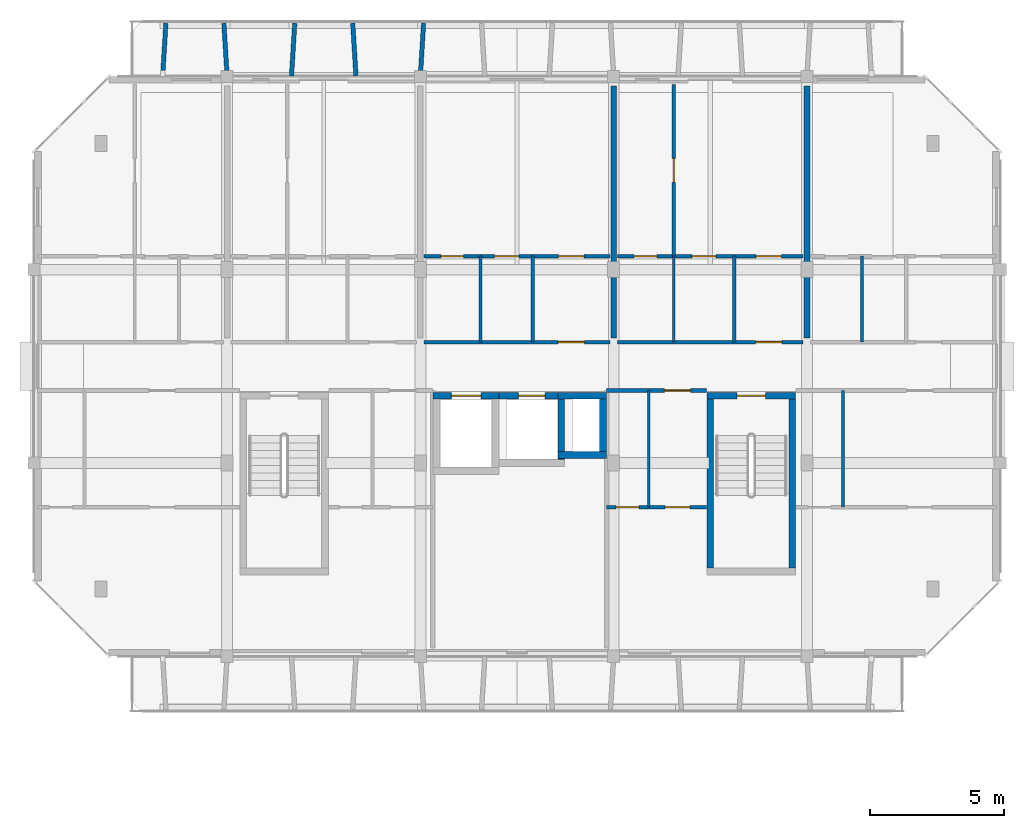
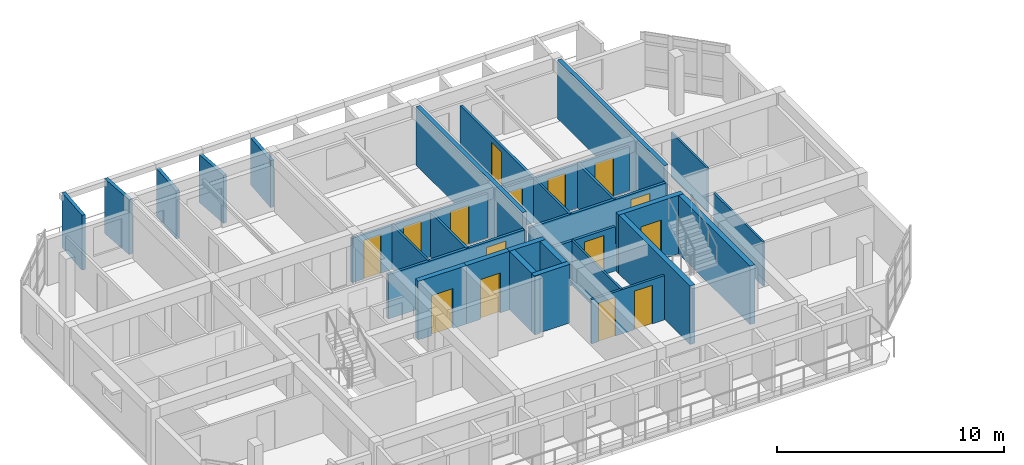
# One storey, part 13 of 22: 30 walls, 15 doors, 15 openings.
"""IFC4 building model written with IfcOpenShell, lengths in metres."""

from ifc_helpers import new_model, si_unit, direction, frame, frame_2d, origin, place, context, subcontext, project, spatial, rectangle, extrude, material, layer, layer_set, type_object, element, fill, save


model = new_model("IFC4")

# Units and contexts
model_context = context("Model", 3, precision=1e-05, world=origin(), true_north=direction((0.0, 1.0)))
body_context = subcontext(model_context, "Body", "Model", "MODEL_VIEW")
ifc_project = project(units=[si_unit("LENGTHUNIT", "METRE"), si_unit("AREAUNIT", "SQUARE_METRE"), si_unit("VOLUMEUNIT", "CUBIC_METRE"), si_unit("PLANEANGLEUNIT", "RADIAN"), si_unit("MASSUNIT", "GRAM", prefix="KILO")], contexts=[model_context])

# Site, building, storey
site_placement = place(None, origin())
site = spatial("IfcSite", under=ifc_project, at=site_placement, CompositionType="ELEMENT")
building_placement = place(site_placement, origin())
building = spatial("IfcBuilding", under=site, at=building_placement, Name="Ochrevale Crest", CompositionType="ELEMENT")
storey_placement = place(building_placement, frame((0.0, 0.0, 40.199951171875)))
storey = spatial("IfcBuildingStorey", under=building, at=storey_placement, Name="L12", CompositionType="ELEMENT", Elevation=40.199951171875)

# Wall, opening, door
ifc_material_1 = material(Name="Gypsum plasterboard", Category="gypsum")
ifc_layer_1 = layer(ifc_material_1, 0.139892578125)
ifc_layer_set_1 = layer_set([ifc_layer_1], Name="Gypsum plasterboard")
wall_type_1 = type_object("IfcWallType", Name="WL-COR-140", PredefinedType="PARTITIONING", material=ifc_layer_set_1)
wall_1_placement = place(storey_placement, frame((144.139892578125, 83.699951171875, 0.0), z_axis=(0.0, 0.0, 1.0), x_axis=(1.0, 0.0, 0.0)))
wall_1 = element("IfcWall", 1, at=wall_1_placement, inside=storey, type_object=wall_type_1, Name="Apartment D-L12-U3 corridor wall", PredefinedType="PARTITIONING", context=body_context, shape_type="SweptSolid", body=[
    extrude(rectangle(XDim=6.920166015625, YDim=0.139892578125, at=frame_2d((3.4599609375, 0.0))), origin(), (0.0, 0.0, 1.0), 2.380126953125),
])
opening_1_placement = place(wall_1_placement, frame((4.9951171875, 0.0, 0.0)))
opening_1 = element("IfcOpeningElement", 2, at=opening_1_placement, cuts=wall_1, Name="Opening FD01", PredefinedType="OPENING", context=body_context, shape_type="SweptSolid", body=[
    extrude(rectangle(XDim=0.97998046875, YDim=2.10009765625, at=frame_2d((0.489990234375, 1.050048828125))), frame((0.0, 0.080078125, 0.0), z_axis=(0.0, -1.0, 0.0), x_axis=(1.0, 0.0, 0.0)), (0.0, 0.0, 1.0), 0.159912109375),
])
ifc_material_2 = material(Name="Solid-core FSC hardwood", Category="wood")
door_type_1 = type_object("IfcDoorType", Name="DR-APT-950", OperationType="NOTDEFINED", PredefinedType="DOOR", material=ifc_material_2)
door_1_placement = place(opening_1_placement, origin())
door_1 = element("IfcDoor", 3, at=door_1_placement, inside=storey, type_object=door_type_1, Name="Apartment D-L12-U3 entrance door", OperationType="SINGLE_SWING_LEFT", OverallHeight=2.10009765625, OverallWidth=0.97998046875, PredefinedType="DOOR", context=body_context, shape_type="SweptSolid", body=[
    extrude(rectangle(XDim=0.97998046875, YDim=2.10009765625, at=frame_2d((0.489990234375, 1.050048828125))), frame((0.0, 0.02490234375, 0.0), z_axis=(0.0, -1.0, 0.0), x_axis=(1.0, 0.0, 0.0)), (0.0, 0.0, 1.0), 0.050048828125),
])
fill(opening_1, door_1)

wall_2_placement = place(storey_placement, frame((151.340087890625, 83.699951171875, 0.0), z_axis=(0.0, 0.0, 1.0), x_axis=(1.0, 0.0, 0.0)))
wall_2 = element("IfcWall", 4, at=wall_2_placement, inside=storey, type_object=wall_type_1, Name="Apartment D-L12-U4 corridor wall", PredefinedType="PARTITIONING", context=body_context, shape_type="SweptSolid", body=[
    extrude(rectangle(XDim=6.919921875, YDim=0.139892578125, at=frame_2d((3.4599609375, 0.0))), origin(), (0.0, 0.0, 1.0), 2.380126953125),
])
opening_2_placement = place(wall_2_placement, frame((5.14501953125, 0.0, 0.0)))
opening_2 = element("IfcOpeningElement", 5, at=opening_2_placement, cuts=wall_2, Name="Opening FD01", PredefinedType="OPENING", context=body_context, shape_type="SweptSolid", body=[
    extrude(rectangle(XDim=0.97998046875, YDim=2.10009765625, at=frame_2d((0.489990234375, 1.050048828125))), frame((0.0, 0.080078125, 0.0), z_axis=(0.0, -1.0, 0.0), x_axis=(1.0, 0.0, 0.0)), (0.0, 0.0, 1.0), 0.159912109375),
])
door_2_placement = place(opening_2_placement, origin())
door_2 = element("IfcDoor", 6, at=door_2_placement, inside=storey, type_object=door_type_1, Name="Apartment D-L12-U4 entrance door", OperationType="SINGLE_SWING_LEFT", OverallHeight=2.10009765625, OverallWidth=0.97998046875, PredefinedType="DOOR", context=body_context, shape_type="SweptSolid", body=[
    extrude(rectangle(XDim=0.97998046875, YDim=2.10009765625, at=frame_2d((0.489990234375, 1.050048828125))), frame((0.0, 0.02490234375, 0.0), z_axis=(0.0, -1.0, 0.0), x_axis=(1.0, 0.0, 0.0)), (0.0, 0.0, 1.0), 0.050048828125),
])
fill(opening_2, door_2)

wall_3_placement = place(storey_placement, frame((150.93994140625, 81.89990234375, 0.0), z_axis=(0.0, 0.0, 1.0), x_axis=(1.0, 0.0, 0.0)))
wall_3 = element("IfcWall", 7, at=wall_3_placement, inside=storey, type_object=wall_type_1, Name="Suite D-L12-ME corridor wall", PredefinedType="PARTITIONING", context=body_context, shape_type="SweptSolid", body=[
    extrude(rectangle(XDim=3.719970703125, YDim=0.139892578125, at=frame_2d((1.85986328125, 0.0))), origin(), (0.0, 0.0, 1.0), 2.380126953125),
])
opening_3_placement = place(wall_3_placement, frame((3.131103515625, 0.0, 0.0), z_axis=(0.0, 0.0, 1.0), x_axis=(-1.0, 0.0, 0.0)))
opening_3 = element("IfcOpeningElement", 8, at=opening_3_placement, cuts=wall_3, Name="Opening FD01", PredefinedType="OPENING", context=body_context, shape_type="SweptSolid", body=[
    extrude(rectangle(XDim=0.97998046875, YDim=2.10009765625, at=frame_2d((0.489990234375, 1.050048828125))), frame((0.0, 0.080078125, 0.0), z_axis=(0.0, -1.0, 0.0), x_axis=(1.0, 0.0, 0.0)), (0.0, 0.0, 1.0), 0.159912109375),
])
door_3_placement = place(opening_3_placement, origin())
door_3 = element("IfcDoor", 9, at=door_3_placement, inside=storey, type_object=door_type_1, Name="Suite D-L12-ME entrance door", OperationType="SINGLE_SWING_RIGHT", OverallHeight=2.10009765625, OverallWidth=0.97998046875, PredefinedType="DOOR", context=body_context, shape_type="SweptSolid", body=[
    extrude(rectangle(XDim=0.97998046875, YDim=2.10009765625, at=frame_2d((0.489990234375, 1.050048828125))), frame((0.0, 0.02490234375, 0.0), z_axis=(0.0, -1.0, 0.0), x_axis=(1.0, 0.0, 0.0)), (0.0, 0.0, 1.0), 0.050048828125),
])
fill(opening_3, door_3)

ifc_material_3 = material(Name="Precast concrete C50/60", Category="concrete")
ifc_layer_2 = layer(ifc_material_3, 0.2548828125)
ifc_layer_set_2 = layer_set([ifc_layer_2], Name="Precast concrete C50/60")
wall_type_2 = type_object("IfcWallType", Name="WL-CORE-255", PredefinedType="SHEAR", material=ifc_layer_set_2)
wall_4_placement = place(storey_placement, frame((154.672607421875, 81.699951171875, 0.0), z_axis=(0.0, 0.0, 1.0), x_axis=(1.0, 0.0, 0.0)))
wall_4 = element("IfcWall", 10, at=wall_4_placement, inside=storey, type_object=wall_type_2, Name="Block D L12 Stair 2 precast core shear wall N", PredefinedType="SHEAR", context=body_context, shape_type="SweptSolid", body=[
    extrude(rectangle(XDim=3.304931640625, YDim=0.2548828125, at=frame_2d((1.65234375, 0.0))), origin(), (0.0, 0.0, 1.0), 3.150146484375),
])
opening_4_placement = place(wall_4_placement, frame((1.12744140625, 0.0, 0.0)))
opening_4 = element("IfcOpeningElement", 11, at=opening_4_placement, cuts=wall_4, Name="Opening FD03", PredefinedType="OPENING", context=body_context, shape_type="SweptSolid", body=[
    extrude(rectangle(XDim=1.050048828125, YDim=2.1201171875, at=frame_2d((0.52490234375, 1.06005859375))), frame((0.0, 0.137451171875, 0.0), z_axis=(0.0, -1.0, 0.0), x_axis=(1.0, 0.0, 0.0)), (0.0, 0.0, 1.0), 0.27490234375),
])
door_type_2 = type_object("IfcDoorType", Name="DR-ST-1050", OperationType="NOTDEFINED", PredefinedType="DOOR", material=ifc_material_2)
door_4_placement = place(opening_4_placement, origin())
door_4 = element("IfcDoor", 12, at=door_4_placement, inside=storey, type_object=door_type_2, Name="Block D L12 fire stair 2 door", OperationType="SINGLE_SWING_LEFT", OverallHeight=2.1201171875, OverallWidth=1.050048828125, PredefinedType="DOOR", context=body_context, shape_type="SweptSolid", body=[
    extrude(rectangle(XDim=1.050048828125, YDim=2.1201171875, at=frame_2d((0.52490234375, 1.06005859375))), frame((0.0, 0.02490234375, 0.0), z_axis=(0.0, -1.0, 0.0), x_axis=(1.0, 0.0, 0.0)), (0.0, 0.0, 1.0), 0.050048828125),
])
fill(opening_4, door_4)

# Walls
for number, where, z_axis, x_axis, name in (
    (13, (154.800048828125, 75.277587890625, 0.0), (0.0, 0.0, 1.0), (0.0, 1.0, 0.0), "Block D L12 Stair 2 precast core shear wall W"),
    (14, (157.85009765625, 75.277587890625, 0.0), (0.0, 0.0, 1.0), (0.0, 1.0, 0.0), "Block D L12 Stair 2 precast core shear wall E"),
):
    element("IfcWall", number, at=place(storey_placement, frame(where, z_axis=z_axis, x_axis=x_axis)), inside=storey, type_object=wall_type_2, Name=name, PredefinedType="SHEAR", context=body_context, shape_type="SweptSolid", body=[
        extrude(rectangle(XDim=6.294921875, YDim=0.2548828125, at=frame_2d((3.1474609375, 0.0))), origin(), (0.0, 0.0, 1.0), 3.150146484375),
    ])

# Wall, opening, door
wall_5_placement = place(storey_placement, frame((144.472412109375, 81.699951171875, 0.0), z_axis=(0.0, 0.0, 1.0), x_axis=(1.0, 0.0, 0.0)))
wall_5 = element("IfcWall", 15, at=wall_5_placement, inside=storey, type_object=wall_type_2, Name="Block D L12 Lift 1 precast shaft shear wall N", PredefinedType="SHEAR", context=body_context, shape_type="SweptSolid", body=[
    extrude(rectangle(XDim=2.455078125, YDim=0.2548828125, at=frame_2d((1.2275390625, 0.0))), origin(), (0.0, 0.0, 1.0), 3.150146484375),
])
opening_5_placement = place(wall_5_placement, frame((0.677490234375, 0.0, 0.0)))
opening_5 = element("IfcOpeningElement", 16, at=opening_5_placement, cuts=wall_5, Name="Opening LD01", PredefinedType="OPENING", context=body_context, shape_type="SweptSolid", body=[
    extrude(rectangle(XDim=1.10009765625, YDim=2.14990234375, at=frame_2d((0.550048828125, 1.074951171875))), frame((0.0, 0.137451171875, 0.0), z_axis=(0.0, -1.0, 0.0), x_axis=(1.0, 0.0, 0.0)), (0.0, 0.0, 1.0), 0.27490234375),
])
door_type_3 = type_object("IfcDoorType", Name="DR-LIFT-1100", OperationType="NOTDEFINED", PredefinedType="DOOR", material=ifc_material_2)
door_5_placement = place(opening_5_placement, origin())
door_5 = element("IfcDoor", 17, at=door_5_placement, inside=storey, type_object=door_type_3, Name="Lift LF-D1 L12 sliding landing door", OperationType="SLIDING_TO_LEFT", OverallHeight=2.14990234375, OverallWidth=1.10009765625, PredefinedType="DOOR", context=body_context, shape_type="SweptSolid", body=[
    extrude(rectangle(XDim=1.10009765625, YDim=2.14990234375, at=frame_2d((0.550048828125, 1.074951171875))), frame((0.0, 0.02490234375, 0.0), z_axis=(0.0, -1.0, 0.0), x_axis=(1.0, 0.0, 0.0)), (0.0, 0.0, 1.0), 0.050048828125),
])
fill(opening_5, door_5)

wall_6_placement = place(storey_placement, frame((146.922607421875, 81.699951171875, 0.0), z_axis=(0.0, 0.0, 1.0), x_axis=(1.0, 0.0, 0.0)))
wall_6 = element("IfcWall", 18, at=wall_6_placement, inside=storey, type_object=wall_type_2, Name="Block D L12 Lift 2 precast shaft shear wall N", PredefinedType="SHEAR", context=body_context, shape_type="SweptSolid", body=[
    extrude(rectangle(XDim=2.454833984375, YDim=0.2548828125, at=frame_2d((1.2275390625, 0.0))), origin(), (0.0, 0.0, 1.0), 3.150146484375),
])
opening_6_placement = place(wall_6_placement, frame((0.7275390625, 0.0, 0.0)))
opening_6 = element("IfcOpeningElement", 19, at=opening_6_placement, cuts=wall_6, Name="Opening LD02", PredefinedType="OPENING", context=body_context, shape_type="SweptSolid", body=[
    extrude(rectangle(XDim=1.0, YDim=2.14990234375, at=frame_2d((0.5, 1.074951171875))), frame((0.0, 0.137451171875, 0.0), z_axis=(0.0, -1.0, 0.0), x_axis=(1.0, 0.0, 0.0)), (0.0, 0.0, 1.0), 0.27490234375),
])
door_type_4 = type_object("IfcDoorType", Name="DR-LIFT-1000", OperationType="NOTDEFINED", PredefinedType="DOOR", material=ifc_material_2)
door_6_placement = place(opening_6_placement, origin())
door_6 = element("IfcDoor", 20, at=door_6_placement, inside=storey, type_object=door_type_4, Name="Lift LP-D2 L12 sliding landing door", OperationType="SLIDING_TO_RIGHT", OverallHeight=2.14990234375, OverallWidth=1.0, PredefinedType="DOOR", context=body_context, shape_type="SweptSolid", body=[
    extrude(rectangle(XDim=1.0, YDim=2.14990234375, at=frame_2d((0.5, 1.074951171875))), frame((0.0, 0.02490234375, 0.0), z_axis=(0.0, -1.0, 0.0), x_axis=(1.0, 0.0, 0.0)), (0.0, 0.0, 1.0), 0.050048828125),
])
fill(opening_6, door_6)

# Walls
wall_7_placement = place(storey_placement, frame((149.25, 79.327392578125, 0.0), z_axis=(0.0, 0.0, 1.0), x_axis=(0.0, 1.0, 0.0)))
element("IfcWall", 21, at=wall_7_placement, inside=storey, type_object=wall_type_2, Name="Block D L12 Lift 2 precast shaft shear wall E", PredefinedType="SHEAR", context=body_context, shape_type="SweptSolid", body=[
    extrude(rectangle(XDim=2.2451171875, YDim=0.2548828125, at=frame_2d((1.12255859375, 0.0))), origin(), (0.0, 0.0, 1.0), 3.150146484375),
])
for number, where, z_axis, x_axis, name in (
    (22, (149.12255859375, 79.5, 0.0), (0.0, 0.0, 1.0), (1.0, 0.0, 0.0), "Block D L12 services riser shaft core wall S"),
    (23, (149.12255859375, 81.699951171875, 0.0), (0.0, 0.0, 1.0), (1.0, 0.0, 0.0), "Block D L12 services riser shaft core wall N"),
):
    element("IfcWall", number, at=place(storey_placement, frame(where, z_axis=z_axis, x_axis=x_axis)), inside=storey, type_object=wall_type_2, Name=name, PredefinedType="SHEAR", context=body_context, shape_type="SweptSolid", body=[
        extrude(rectangle(XDim=1.804931640625, YDim=0.2548828125, at=frame_2d((0.90234375, 0.0))), origin(), (0.0, 0.0, 1.0), 3.150146484375),
    ])
wall_8_placement = place(storey_placement, frame((150.800048828125, 79.62744140625, 0.0), z_axis=(0.0, 0.0, 1.0), x_axis=(0.0, 1.0, 0.0)))
element("IfcWall", 24, at=wall_8_placement, inside=storey, type_object=wall_type_2, Name="Block D L12 services riser shaft core wall E", PredefinedType="SHEAR", context=body_context, shape_type="SweptSolid", body=[
    extrude(rectangle(XDim=1.945068359375, YDim=0.2548828125, at=frame_2d((0.97265625, 0.0))), origin(), (0.0, 0.0, 1.0), 3.150146484375),
])
ifc_material_4 = material(Name="Precast concrete C40/50", Category="concrete")
ifc_layer_3 = layer(ifc_material_4, 0.1650390625)
ifc_layer_set_3 = layer_set([ifc_layer_3], Name="Precast concrete C40/50")
wall_type_3 = type_object("IfcWallType", Name="WL-HC-CHEEK-165", PredefinedType="ELEMENTEDWALL", material=ifc_layer_set_3)
for number, where, z_axis, x_axis, name in (
    (25, (134.39990234375, 93.6201171875, 0.0), (0.0, 0.0, 1.0), (0.061170732449, 0.998127317276, 0.0), "Block D L12 N precast honeycomb cheek 1"),
    (26, (136.800048828125, 93.6201171875, 0.0), (0.0, 0.0, 1.0), (-0.061170732449, 0.998127317276, 0.0), "Block D L12 N precast honeycomb cheek 2"),
):
    element("IfcWall", number, at=place(storey_placement, frame(where, z_axis=z_axis, x_axis=x_axis)), inside=storey, type_object=wall_type_3, Name=name, PredefinedType="ELEMENTEDWALL", context=body_context, shape_type="SweptSolid", body=[
        extrude(rectangle(XDim=1.963623046875, YDim=0.1650390625, at=frame_2d((0.98193359375, 0.0))), origin(), (0.0, 0.0, 1.0), 2.949951171875),
    ])
for number, where, z_axis, x_axis, name in (
    (27, (139.199951171875, 93.6201171875, 0.0), (0.0, 0.0, 1.0), (0.061170732449, 0.998127317276, 0.0), "Block D L12 N precast honeycomb cheek 3"),
    (28, (141.60009765625, 93.6201171875, 0.0), (0.0, 0.0, 1.0), (-0.061170732449, 0.998127317276, 0.0), "Block D L12 N precast honeycomb cheek 4"),
):
    element("IfcWall", number, at=place(storey_placement, frame(where, z_axis=z_axis, x_axis=x_axis)), inside=storey, type_object=wall_type_3, Name=name, PredefinedType="ELEMENTEDWALL", context=body_context, shape_type="SweptSolid", body=[
        extrude(rectangle(XDim=1.963623046875, YDim=0.1650390625, at=frame_2d((0.98193359375, 0.0))), origin(), (0.0, 0.0, 1.0), 2.580078125),
    ])
wall_9_placement = place(storey_placement, frame((144.0, 93.6201171875, 0.0), z_axis=(0.0, 0.0, 1.0), x_axis=(0.061170732449, 0.998127317276, 0.0)))
element("IfcWall", 29, at=wall_9_placement, inside=storey, type_object=wall_type_3, Name="Block D L12 N precast honeycomb cheek 5", PredefinedType="ELEMENTEDWALL", context=body_context, shape_type="SweptSolid", body=[
    extrude(rectangle(XDim=1.963623046875, YDim=0.1650390625, at=frame_2d((0.98193359375, 0.0))), origin(), (0.0, 0.0, 1.0), 2.530029296875),
])
ifc_layer_4 = layer(ifc_material_1, 0.1201171875)
ifc_layer_set_4 = layer_set([ifc_layer_4], Name="Gypsum plasterboard")
wall_type_4 = type_object("IfcWallType", Name="WL-PART-120", PredefinedType="PARTITIONING", material=ifc_layer_set_4)
wall_10_placement = place(storey_placement, frame((148.18994140625, 83.699951171875, 0.0), z_axis=(0.0, 0.0, 1.0), x_axis=(0.0, 1.0, 0.0)))
element("IfcWall", 30, at=wall_10_placement, inside=storey, type_object=wall_type_4, Name="Apartment D-L12-U3 kitchen-foyer wall", PredefinedType="PARTITIONING", context=body_context, shape_type="SweptSolid", body=[
    extrude(rectangle(XDim=3.199951171875, YDim=0.1201171875, at=frame_2d((1.60009765625, 0.0))), origin(), (0.0, 0.0, 1.0), 2.380126953125),
])

# Wall, openings, doors
wall_11_placement = place(storey_placement, frame((144.139892578125, 86.89990234375, 0.0), z_axis=(0.0, 0.0, 1.0), x_axis=(1.0, 0.0, 0.0)))
wall_11 = element("IfcWall", 31, at=wall_11_placement, inside=storey, type_object=wall_type_4, Name="Apartment D-L12-U3 central partition", PredefinedType="PARTITIONING", context=body_context, shape_type="SweptSolid", body=[
    extrude(rectangle(XDim=6.920166015625, YDim=0.1201171875, at=frame_2d((3.4599609375, 0.0))), origin(), (0.0, 0.0, 1.0), 2.380126953125),
])
opening_7_placement = place(wall_11_placement, frame((1.47509765625, 0.0, 0.0), z_axis=(0.0, 0.0, 1.0), x_axis=(-1.0, 0.0, 0.0)))
opening_7 = element("IfcOpeningElement", 32, at=opening_7_placement, cuts=wall_11, Name="Opening ID01", PredefinedType="OPENING", context=body_context, shape_type="SweptSolid", body=[
    extrude(rectangle(XDim=0.85009765625, YDim=2.080078125, at=frame_2d((0.425048828125, 1.0400390625))), frame((0.0, 0.070068359375, 0.0), z_axis=(0.0, -1.0, 0.0), x_axis=(1.0, 0.0, 0.0)), (0.0, 0.0, 1.0), 0.14013671875),
])
opening_8_placement = place(wall_11_placement, frame((2.625, 0.0, 0.0)))
opening_8 = element("IfcOpeningElement", 33, at=opening_8_placement, cuts=wall_11, Name="Opening ID02", PredefinedType="OPENING", context=body_context, shape_type="SweptSolid", body=[
    extrude(rectangle(XDim=0.89990234375, YDim=2.080078125, at=frame_2d((0.449951171875, 1.0400390625))), frame((0.0, 0.070068359375, 0.0), z_axis=(0.0, -1.0, 0.0), x_axis=(1.0, 0.0, 0.0)), (0.0, 0.0, 1.0), 0.14013671875),
])
opening_9_placement = place(wall_11_placement, frame((5.9599609375, 0.0, 0.0), z_axis=(0.0, 0.0, 1.0), x_axis=(-1.0, 0.0, 0.0)))
opening_9 = element("IfcOpeningElement", 34, at=opening_9_placement, cuts=wall_11, Name="Opening ID06", PredefinedType="OPENING", context=body_context, shape_type="SweptSolid", body=[
    extrude(rectangle(XDim=0.949951171875, YDim=2.080078125, at=frame_2d((0.47509765625, 1.0400390625))), frame((0.0, 0.070068359375, 0.0), z_axis=(0.0, -1.0, 0.0), x_axis=(1.0, 0.0, 0.0)), (0.0, 0.0, 1.0), 0.14013671875),
])
door_type_5 = type_object("IfcDoorType", Name="DR-INT-900", OperationType="NOTDEFINED", PredefinedType="DOOR", material=ifc_material_2)
door_7_placement = place(opening_8_placement, origin())
door_7 = element("IfcDoor", 35, at=door_7_placement, inside=storey, type_object=door_type_5, Name="Apartment D-L12-U3 Kitchen door", OperationType="SINGLE_SWING_LEFT", OverallHeight=2.080078125, OverallWidth=0.89990234375, PredefinedType="DOOR", context=body_context, shape_type="SweptSolid", body=[
    extrude(rectangle(XDim=0.89990234375, YDim=2.080078125, at=frame_2d((0.449951171875, 1.0400390625))), frame((0.0, 0.02490234375, 0.0), z_axis=(0.0, -1.0, 0.0), x_axis=(1.0, 0.0, 0.0)), (0.0, 0.0, 1.0), 0.050048828125),
])
fill(opening_8, door_7)
door_type_6 = type_object("IfcDoorType", Name="DR-INT-950", OperationType="NOTDEFINED", PredefinedType="DOOR", material=ifc_material_2)
door_8_placement = place(opening_9_placement, origin())
door_8 = element("IfcDoor", 36, at=door_8_placement, inside=storey, type_object=door_type_6, Name="Apartment D-L12-U3 Living Foyer door", OperationType="SINGLE_SWING_RIGHT", OverallHeight=2.080078125, OverallWidth=0.949951171875, PredefinedType="DOOR", context=body_context, shape_type="SweptSolid", body=[
    extrude(rectangle(XDim=0.949951171875, YDim=2.080078125, at=frame_2d((0.47509765625, 1.0400390625))), frame((0.0, 0.02490234375, 0.0), z_axis=(0.0, -1.0, 0.0), x_axis=(1.0, 0.0, 0.0)), (0.0, 0.0, 1.0), 0.050048828125),
])
fill(opening_9, door_8)
door_type_7 = type_object("IfcDoorType", Name="DR-WC-850", OperationType="NOTDEFINED", PredefinedType="DOOR", material=ifc_material_2)
door_9_placement = place(opening_7_placement, origin())
door_9 = element("IfcDoor", 37, at=door_9_placement, inside=storey, type_object=door_type_7, Name="Apartment D-L12-U3 Bathroom door", OperationType="SINGLE_SWING_RIGHT", OverallHeight=2.080078125, OverallWidth=0.85009765625, PredefinedType="DOOR", context=body_context, shape_type="SweptSolid", body=[
    extrude(rectangle(XDim=0.85009765625, YDim=2.080078125, at=frame_2d((0.425048828125, 1.0400390625))), frame((0.0, 0.02490234375, 0.0), z_axis=(0.0, -1.0, 0.0), x_axis=(1.0, 0.0, 0.0)), (0.0, 0.0, 1.0), 0.050048828125),
])
fill(opening_7, door_9)

# Wall
wall_12_placement = place(storey_placement, frame((155.68994140625, 83.699951171875, 0.0), z_axis=(0.0, 0.0, 1.0), x_axis=(0.0, 1.0, 0.0)))
element("IfcWall", 38, at=wall_12_placement, inside=storey, type_object=wall_type_4, Name="Apartment D-L12-U4 kitchen-foyer wall", PredefinedType="PARTITIONING", context=body_context, shape_type="SweptSolid", body=[
    extrude(rectangle(XDim=3.199951171875, YDim=0.1201171875, at=frame_2d((1.60009765625, 0.0))), origin(), (0.0, 0.0, 1.0), 2.380126953125),
])

# Wall, openings, doors
wall_13_placement = place(storey_placement, frame((151.340087890625, 86.89990234375, 0.0), z_axis=(0.0, 0.0, 1.0), x_axis=(1.0, 0.0, 0.0)))
wall_13 = element("IfcWall", 39, at=wall_13_placement, inside=storey, type_object=wall_type_4, Name="Apartment D-L12-U4 central partition", PredefinedType="PARTITIONING", context=body_context, shape_type="SweptSolid", body=[
    extrude(rectangle(XDim=6.919921875, YDim=0.1201171875, at=frame_2d((3.4599609375, 0.0))), origin(), (0.0, 0.0, 1.0), 2.380126953125),
])
opening_10_placement = place(wall_13_placement, frame((1.47509765625, 0.0, 0.0), z_axis=(0.0, 0.0, 1.0), x_axis=(-1.0, 0.0, 0.0)))
opening_10 = element("IfcOpeningElement", 40, at=opening_10_placement, cuts=wall_13, Name="Opening ID01", PredefinedType="OPENING", context=body_context, shape_type="SweptSolid", body=[
    extrude(rectangle(XDim=0.85009765625, YDim=2.080078125, at=frame_2d((0.425048828125, 1.0400390625))), frame((0.0, 0.070068359375, 0.0), z_axis=(0.0, -1.0, 0.0), x_axis=(1.0, 0.0, 0.0)), (0.0, 0.0, 1.0), 0.14013671875),
])
opening_11_placement = place(wall_13_placement, frame((2.77490234375, 0.0, 0.0)))
opening_11 = element("IfcOpeningElement", 41, at=opening_11_placement, cuts=wall_13, Name="Opening ID02", PredefinedType="OPENING", context=body_context, shape_type="SweptSolid", body=[
    extrude(rectangle(XDim=0.89990234375, YDim=2.080078125, at=frame_2d((0.449951171875, 1.0400390625))), frame((0.0, 0.070068359375, 0.0), z_axis=(0.0, -1.0, 0.0), x_axis=(1.0, 0.0, 0.0)), (0.0, 0.0, 1.0), 0.14013671875),
])
opening_12_placement = place(wall_13_placement, frame((6.10986328125, 0.0, 0.0), z_axis=(0.0, 0.0, 1.0), x_axis=(-1.0, 0.0, 0.0)))
opening_12 = element("IfcOpeningElement", 42, at=opening_12_placement, cuts=wall_13, Name="Opening ID06", PredefinedType="OPENING", context=body_context, shape_type="SweptSolid", body=[
    extrude(rectangle(XDim=0.949951171875, YDim=2.080078125, at=frame_2d((0.47509765625, 1.0400390625))), frame((0.0, 0.070068359375, 0.0), z_axis=(0.0, -1.0, 0.0), x_axis=(1.0, 0.0, 0.0)), (0.0, 0.0, 1.0), 0.14013671875),
])
door_10_placement = place(opening_11_placement, origin())
door_10 = element("IfcDoor", 43, at=door_10_placement, inside=storey, type_object=door_type_5, Name="Apartment D-L12-U4 Kitchen door", OperationType="SINGLE_SWING_LEFT", OverallHeight=2.080078125, OverallWidth=0.89990234375, PredefinedType="DOOR", context=body_context, shape_type="SweptSolid", body=[
    extrude(rectangle(XDim=0.89990234375, YDim=2.080078125, at=frame_2d((0.449951171875, 1.0400390625))), frame((0.0, 0.02490234375, 0.0), z_axis=(0.0, -1.0, 0.0), x_axis=(1.0, 0.0, 0.0)), (0.0, 0.0, 1.0), 0.050048828125),
])
fill(opening_11, door_10)
door_11_placement = place(opening_12_placement, origin())
door_11 = element("IfcDoor", 44, at=door_11_placement, inside=storey, type_object=door_type_6, Name="Apartment D-L12-U4 Living Foyer door", OperationType="SINGLE_SWING_RIGHT", OverallHeight=2.080078125, OverallWidth=0.949951171875, PredefinedType="DOOR", context=body_context, shape_type="SweptSolid", body=[
    extrude(rectangle(XDim=0.949951171875, YDim=2.080078125, at=frame_2d((0.47509765625, 1.0400390625))), frame((0.0, 0.02490234375, 0.0), z_axis=(0.0, -1.0, 0.0), x_axis=(1.0, 0.0, 0.0)), (0.0, 0.0, 1.0), 0.050048828125),
])
fill(opening_12, door_11)
door_12_placement = place(opening_10_placement, origin())
door_12 = element("IfcDoor", 45, at=door_12_placement, inside=storey, type_object=door_type_7, Name="Apartment D-L12-U4 Bathroom door", OperationType="SINGLE_SWING_RIGHT", OverallHeight=2.080078125, OverallWidth=0.85009765625, PredefinedType="DOOR", context=body_context, shape_type="SweptSolid", body=[
    extrude(rectangle(XDim=0.85009765625, YDim=2.080078125, at=frame_2d((0.425048828125, 1.0400390625))), frame((0.0, 0.02490234375, 0.0), z_axis=(0.0, -1.0, 0.0), x_axis=(1.0, 0.0, 0.0)), (0.0, 0.0, 1.0), 0.050048828125),
])
fill(opening_10, door_12)

# Wall, opening, door
wall_14_placement = place(storey_placement, frame((153.43994140625, 86.89990234375, 0.0), z_axis=(0.0, 0.0, 1.0), x_axis=(0.0, 1.0, 0.0)))
wall_14 = element("IfcWall", 46, at=wall_14_placement, inside=storey, type_object=wall_type_4, Name="Apartment D-L12-U4 bedroom partition", PredefinedType="PARTITIONING", context=body_context, shape_type="SweptSolid", body=[
    extrude(rectangle(XDim=6.400146484375, YDim=0.1201171875, at=frame_2d((3.2001953125, 0.0))), origin(), (0.0, 0.0, 1.0), 2.380126953125),
])
opening_13_placement = place(wall_14_placement, frame((2.75, 0.0, 0.0)))
opening_13 = element("IfcOpeningElement", 47, at=opening_13_placement, cuts=wall_14, Name="Opening ID02", PredefinedType="OPENING", context=body_context, shape_type="SweptSolid", body=[
    extrude(rectangle(XDim=0.89990234375, YDim=2.080078125, at=frame_2d((0.449951171875, 1.0400390625))), frame((0.0, 0.070068359375, 0.0), z_axis=(0.0, -1.0, 0.0), x_axis=(1.0, 0.0, 0.0)), (0.0, 0.0, 1.0), 0.14013671875),
])
door_13_placement = place(opening_13_placement, origin())
door_13 = element("IfcDoor", 48, at=door_13_placement, inside=storey, type_object=door_type_5, Name="Apartment D-L12-U4 Master Bedroom door", OperationType="SINGLE_SWING_LEFT", OverallHeight=2.080078125, OverallWidth=0.89990234375, PredefinedType="DOOR", context=body_context, shape_type="SweptSolid", body=[
    extrude(rectangle(XDim=0.89990234375, YDim=2.080078125, at=frame_2d((0.449951171875, 1.0400390625))), frame((0.0, 0.02490234375, 0.0), z_axis=(0.0, -1.0, 0.0), x_axis=(1.0, 0.0, 0.0)), (0.0, 0.0, 1.0), 0.050048828125),
])
fill(opening_13, door_13)

# Wall, openings, doors
wall_15_placement = place(storey_placement, frame((150.93994140625, 77.550048828125, 0.0), z_axis=(0.0, 0.0, 1.0), x_axis=(1.0, 0.0, 0.0)))
wall_15 = element("IfcWall", 49, at=wall_15_placement, inside=storey, type_object=wall_type_4, Name="Suite D-L12-ME internal wall", PredefinedType="PARTITIONING", context=body_context, shape_type="SweptSolid", body=[
    extrude(rectangle(XDim=3.719970703125, YDim=0.1201171875, at=frame_2d((1.85986328125, 0.0))), origin(), (0.0, 0.0, 1.0), 2.380126953125),
])
opening_14_placement = place(wall_15_placement, frame((0.356201171875, 0.0, 0.0)))
opening_14 = element("IfcOpeningElement", 50, at=opening_14_placement, cuts=wall_15, Name="Opening ID01", PredefinedType="OPENING", context=body_context, shape_type="SweptSolid", body=[
    extrude(rectangle(XDim=0.85009765625, YDim=2.080078125, at=frame_2d((0.425048828125, 1.0400390625))), frame((0.0, 0.070068359375, 0.0), z_axis=(0.0, -1.0, 0.0), x_axis=(1.0, 0.0, 0.0)), (0.0, 0.0, 1.0), 0.14013671875),
])
opening_15_placement = place(wall_15_placement, frame((3.10107421875, 0.0, 0.0), z_axis=(0.0, 0.0, 1.0), x_axis=(-1.0, 0.0, 0.0)))
opening_15 = element("IfcOpeningElement", 51, at=opening_15_placement, cuts=wall_15, Name="Opening ID04", PredefinedType="OPENING", context=body_context, shape_type="SweptSolid", body=[
    extrude(rectangle(XDim=0.919921875, YDim=2.080078125, at=frame_2d((0.4599609375, 1.0400390625))), frame((0.0, 0.070068359375, 0.0), z_axis=(0.0, -1.0, 0.0), x_axis=(1.0, 0.0, 0.0)), (0.0, 0.0, 1.0), 0.14013671875),
])
door_type_8 = type_object("IfcDoorType", Name="DR-INT-920", OperationType="NOTDEFINED", PredefinedType="DOOR", material=ifc_material_2)
door_14_placement = place(opening_15_placement, origin())
door_14 = element("IfcDoor", 52, at=door_14_placement, inside=storey, type_object=door_type_8, Name="Suite D-L12-ME Garden Alcove Studio door", OperationType="SINGLE_SWING_RIGHT", OverallHeight=2.080078125, OverallWidth=0.919921875, PredefinedType="DOOR", context=body_context, shape_type="SweptSolid", body=[
    extrude(rectangle(XDim=0.919921875, YDim=2.080078125, at=frame_2d((0.4599609375, 1.0400390625))), frame((0.0, 0.02490234375, 0.0), z_axis=(0.0, -1.0, 0.0), x_axis=(1.0, 0.0, 0.0)), (0.0, 0.0, 1.0), 0.050048828125),
])
fill(opening_15, door_14)
door_15_placement = place(opening_14_placement, origin())
door_15 = element("IfcDoor", 53, at=door_15_placement, inside=storey, type_object=door_type_7, Name="Suite D-L12-ME Bathroom door", OperationType="SINGLE_SWING_LEFT", OverallHeight=2.080078125, OverallWidth=0.85009765625, PredefinedType="DOOR", context=body_context, shape_type="SweptSolid", body=[
    extrude(rectangle(XDim=0.85009765625, YDim=2.080078125, at=frame_2d((0.425048828125, 1.0400390625))), frame((0.0, 0.02490234375, 0.0), z_axis=(0.0, -1.0, 0.0), x_axis=(1.0, 0.0, 0.0)), (0.0, 0.0, 1.0), 0.050048828125),
])
fill(opening_14, door_15)

# Walls
ifc_layer_5 = layer(ifc_material_4, 0.2099609375)
ifc_layer_set_5 = layer_set([ifc_layer_5], Name="Precast concrete C40/50")
wall_type_5 = type_object("IfcWallType", Name="WL-SHEAR-210", PredefinedType="SHEAR", material=ifc_layer_set_5)
for number, where, z_axis, x_axis, name in (
    (54, (151.199951171875, 83.85009765625, 0.0), (0.0, 0.0, 1.0), (0.0, 1.0, 0.0), "Block D L12 load-bearing precast cross-wall X=151.2"),
    (55, (158.39990234375, 83.85009765625, 0.0), (0.0, 0.0, 1.0), (0.0, 1.0, 0.0), "Block D L12 load-bearing precast cross-wall X=158.4"),
):
    element("IfcWall", number, at=place(storey_placement, frame(where, z_axis=z_axis, x_axis=x_axis)), inside=storey, type_object=wall_type_5, Name=name, PredefinedType="SHEAR", context=body_context, shape_type="SweptSolid", body=[
        extrude(rectangle(XDim=9.39990234375, YDim=0.2099609375, at=frame_2d((4.699951171875, 0.0))), origin(), (0.0, 0.0, 1.0), 3.150146484375),
    ])
ifc_layer_6 = layer(ifc_material_1, 0.10009765625)
ifc_layer_set_6 = layer_set([ifc_layer_6], Name="Gypsum plasterboard")
wall_type_6 = type_object("IfcWallType", Name="WL-WET-100", PredefinedType="PARTITIONING", material=ifc_layer_set_6)
for number, where, z_axis, x_axis, name in (
    (56, (146.239990234375, 83.699951171875, 0.0), (0.0, 0.0, 1.0), (0.0, 1.0, 0.0), "Apartment D-L12-U3 bath-kitchen wall"),
    (57, (153.43994140625, 83.699951171875, 0.0), (0.0, 0.0, 1.0), (0.0, 1.0, 0.0), "Apartment D-L12-U4 bath-kitchen wall"),
    (58, (160.449951171875, 83.699951171875, 0.0), (0.0, 0.0, 1.0), (0.0, 1.0, 0.0), "Apartment D-L12-U5 bath-kitchen wall"),
):
    element("IfcWall", number, at=place(storey_placement, frame(where, z_axis=z_axis, x_axis=x_axis)), inside=storey, type_object=wall_type_6, Name=name, PredefinedType="PARTITIONING", context=body_context, shape_type="SweptSolid", body=[
        extrude(rectangle(XDim=3.199951171875, YDim=0.10009765625, at=frame_2d((1.60009765625, 0.0))), origin(), (0.0, 0.0, 1.0), 2.380126953125),
    ])
for number, where, z_axis, x_axis, name in (
    (59, (152.50244140625, 77.550048828125, 0.0), (0.0, 0.0, 1.0), (0.0, 1.0, 0.0), "Suite D-L12-ME bathroom divider"),
    (60, (159.739990234375, 77.550048828125, 0.0), (0.0, 0.0, 1.0), (0.0, 1.0, 0.0), "Suite D-L12-CE bathroom divider"),
):
    element("IfcWall", number, at=place(storey_placement, frame(where, z_axis=z_axis, x_axis=x_axis)), inside=storey, type_object=wall_type_6, Name=name, PredefinedType="PARTITIONING", context=body_context, shape_type="SweptSolid", body=[
        extrude(rectangle(XDim=4.349853515625, YDim=0.10009765625, at=frame_2d((2.1748046875, 0.0))), origin(), (0.0, 0.0, 1.0), 2.380126953125),
    ])

save(model, "model.ifc")
